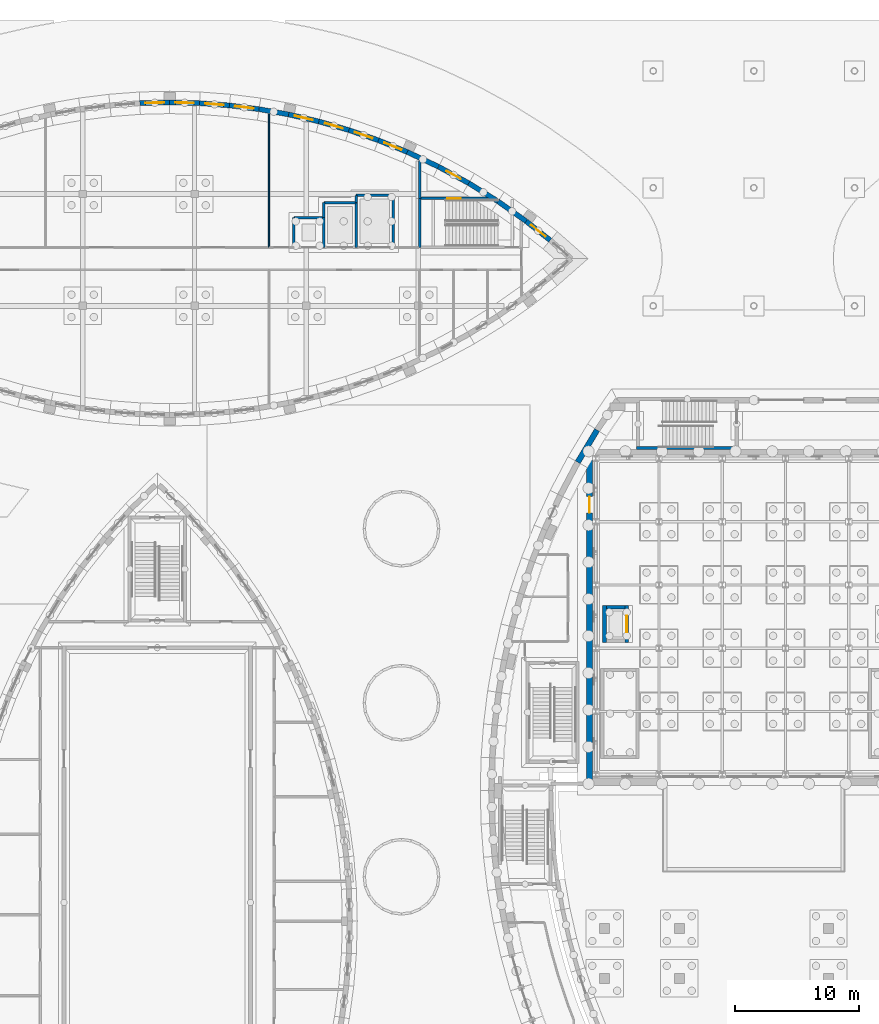
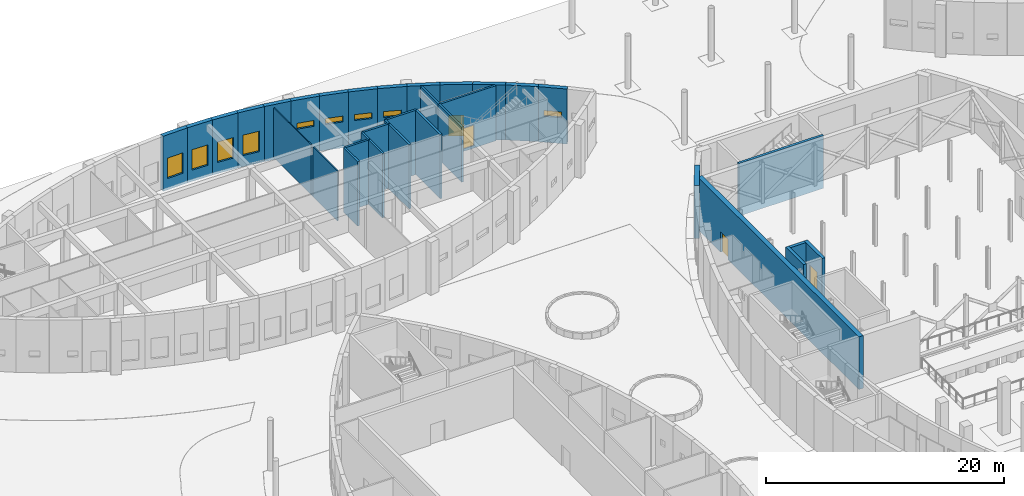
# One storey, part 60 of 82: 35 walls, 9 windows, 4 doors, 13 openings.
"""IFC4 building model written with IfcOpenShell, lengths in metres."""

from ifc_helpers import new_model, si_unit, direction, frame, frame_2d, origin, place, context, subcontext, project, spatial, rectangle, extrude, material, layer, layer_set, type_object, element, fill, save


model = new_model("IFC4")

# Units and contexts
model_context = context("Model", 3, precision=1e-05, world=origin(), true_north=direction((0.0, 1.0)))
body_context = subcontext(model_context, "Body", "Model", "MODEL_VIEW")
ifc_project = project(units=[si_unit("LENGTHUNIT", "METRE"), si_unit("AREAUNIT", "SQUARE_METRE"), si_unit("VOLUMEUNIT", "CUBIC_METRE"), si_unit("PLANEANGLEUNIT", "RADIAN"), si_unit("MASSUNIT", "GRAM", prefix="KILO")], contexts=[model_context])

# Site, building, storey
site_placement = place(None, origin())
site = spatial("IfcSite", under=ifc_project, at=site_placement, CompositionType="ELEMENT")
building_placement = place(site_placement, origin())
building = spatial("IfcBuilding", under=site, at=building_placement, Name="Tide Square Theatres", CompositionType="ELEMENT")
storey_placement = place(building_placement, origin())
storey = spatial("IfcBuildingStorey", under=building, at=storey_placement, Name="L00", CompositionType="ELEMENT", Elevation=0.0)

# Walls
ifc_material_1 = material(Name="Gypsum board on steel studs", Category="steel")
ifc_layer_1 = layer(ifc_material_1, 0.10009765625)
ifc_layer_set_1 = layer_set([ifc_layer_1], Name="Gypsum board on steel studs")
wall_type_1 = type_object("IfcWallType", Name="Partition 100 thick", PredefinedType="PARTITIONING", material=ifc_layer_set_1)
wall_1_placement = place(storey_placement, frame((45.0, 109.4267578125, 0.0), z_axis=(0.0, 0.0, 1.0), x_axis=(0.0, -1.0, 0.0)))
element("IfcWall", 1, at=wall_1_placement, inside=storey, type_object=wall_type_1, Name="Scenery Workshops partition", PredefinedType="PARTITIONING", context=body_context, shape_type="SweptSolid", body=[
    extrude(rectangle(XDim=6.226806640625, YDim=0.10009765625, at=frame_2d((3.11328125, 0.0))), origin(), (0.0, 0.0, 1.0), 5.1201171875),
])
wall_2_placement = place(storey_placement, frame((45.0, 103.199951171875, 0.0), z_axis=(0.0, 0.0, 1.0), x_axis=(0.0, -1.0, 0.0)))
element("IfcWall", 2, at=wall_2_placement, inside=storey, type_object=wall_type_1, Name="Scenery Workshops partition", PredefinedType="PARTITIONING", context=body_context, shape_type="SweptSolid", body=[
    extrude(rectangle(XDim=0.39990234375, YDim=0.10009765625, at=frame_2d((0.199951171875, 0.0))), origin(), (0.0, 0.0, 1.0), 4.320068359375),
])
wall_3_placement = place(storey_placement, frame((45.0, 102.800048828125, 0.0), z_axis=(0.0, 0.0, 1.0), x_axis=(0.0, -1.0, 0.0)))
element("IfcWall", 3, at=wall_3_placement, inside=storey, type_object=wall_type_1, Name="Scenery Workshops partition", PredefinedType="PARTITIONING", context=body_context, shape_type="SweptSolid", body=[
    extrude(rectangle(XDim=4.070068359375, YDim=0.10009765625, at=frame_2d((2.03515625, 0.0))), origin(), (0.0, 0.0, 1.0), 5.1201171875),
])

# Wall, opening, window
ifc_material_2 = material(Name="Concrete C40", Category="concrete")
ifc_layer_2 = layer(ifc_material_2, 0.39990234375)
ifc_layer_set_2 = layer_set([ifc_layer_2], Name="Concrete C40")
wall_type_2 = type_object("IfcWallType", Name="RC curved wall 400 thick", PredefinedType="SOLIDWALL", material=ifc_layer_set_2)
wall_4_placement = place(storey_placement, frame((67.61279296875, 99.27978515625, -0.25), z_axis=(0.0, 0.0, 1.0), x_axis=(-0.784278812541, 0.620408530082, 0.0)))
wall_4 = element("IfcWall", 4, at=wall_4_placement, inside=storey, type_object=wall_type_2, Name="Scenery Workshops perimeter wall 029", PredefinedType="SOLIDWALL", context=body_context, shape_type="SweptSolid", body=[
    extrude(rectangle(XDim=2.464111328125, YDim=0.39990234375, at=frame_2d((1.23193359375, 0.0))), origin(), (0.0, 0.0, 1.0), 5.64990234375),
])
opening_1_placement = place(wall_4_placement, frame((0.48193359375, 0.0, 2.64990234375)))
opening_1 = element("IfcOpeningElement", 5, at=opening_1_placement, cuts=wall_4, Name="Opening WN-05", PredefinedType="OPENING", context=body_context, shape_type="SweptSolid", body=[
    extrude(rectangle(XDim=1.5, YDim=0.60009765625, at=frame_2d((0.75, 0.300048828125))), frame((0.0, 0.2099609375, 0.0), z_axis=(0.0, -1.0, 0.0), x_axis=(1.0, 0.0, 0.0)), (0.0, 0.0, 1.0), 0.419921875),
])
ifc_material_3 = material(Name="Aluminium with laminated glass", Category="aluminium")
window_type_1 = type_object("IfcWindowType", Name="Window 1500 x 600", PartitioningType="SINGLE_PANEL", PredefinedType="WINDOW", material=ifc_material_3)
window_1_placement = place(opening_1_placement, origin())
window_1 = element("IfcWindow", 6, at=window_1_placement, inside=storey, type_object=window_type_1, Name="Scenery Workshops window L00-27", OverallHeight=0.60009765625, OverallWidth=1.5, PartitioningType="SINGLE_PANEL", PredefinedType="WINDOW", context=body_context, shape_type="SweptSolid", body=[
    extrude(rectangle(XDim=1.5, YDim=0.60009765625, at=frame_2d((0.75, 0.300048828125))), frame((0.0, 0.030029296875, 0.0), z_axis=(0.0, -1.0, 0.0), x_axis=(1.0, 0.0, 0.0)), (0.0, 0.0, 1.0), 0.06005859375),
])
fill(opening_1, window_1)

# Walls
for number, where, z_axis, x_axis, name in (
    (7, (65.68017578125, 100.80859375, -0.25), (0.0, 0.0, 1.0), (-0.817070367038, 0.57653795652, 0.0), "Scenery Workshops perimeter wall 030"),
    (8, (63.415283203125, 102.40673828125, -0.25), (0.0, 0.0, 1.0), (-0.84912946359, 0.528184772653, 0.0), "Scenery Workshops perimeter wall 031"),
):
    element("IfcWall", number, at=place(storey_placement, frame(where, z_axis=z_axis, x_axis=x_axis)), inside=storey, type_object=wall_type_2, Name=name, PredefinedType="SOLIDWALL", context=body_context, shape_type="SweptSolid", body=[
        extrude(rectangle(XDim=2.77197265625, YDim=0.39990234375, at=frame_2d((1.385986328125, 0.0))), origin(), (0.0, 0.0, 1.0), 5.64990234375),
    ])

# Wall, opening, door
wall_5_placement = place(storey_placement, frame((61.0615234375, 103.870849609375, -0.25), z_axis=(0.0, 0.0, 1.0), x_axis=(-0.878255502871, 0.478191668347, 0.0)))
wall_5 = element("IfcWall", 9, at=wall_5_placement, inside=storey, type_object=wall_type_2, Name="Scenery Workshops perimeter wall 032", PredefinedType="SOLIDWALL", context=body_context, shape_type="SweptSolid", body=[
    extrude(rectangle(XDim=2.771728515625, YDim=0.39990234375, at=frame_2d((1.3857421875, 0.0))), origin(), (0.0, 0.0, 1.0), 5.64990234375),
])
opening_2_placement = place(wall_5_placement, frame((0.73583984375, 0.0, 0.25)))
opening_2 = element("IfcOpeningElement", 10, at=opening_2_placement, cuts=wall_5, Name="Opening W0-02", PredefinedType="OPENING", context=body_context, shape_type="SweptSolid", body=[
    extrude(rectangle(XDim=1.300048828125, YDim=2.10009765625, at=frame_2d((0.64990234375, 1.050048828125))), frame((0.0, 0.2099609375, 0.0), z_axis=(0.0, -1.0, 0.0), x_axis=(1.0, 0.0, 0.0)), (0.0, 0.0, 1.0), 0.419921875),
])
ifc_material_4 = material(Name="Hardwood timber", Category="wood")
door_type_1 = type_object("IfcDoorType", Name="Door 1300 x 2100 double leaf", OperationType="DOUBLE_DOOR_SINGLE_SWING", PredefinedType="DOOR", material=ifc_material_4)
door_1_placement = place(opening_2_placement, frame((1.300048828125, 0.0, 0.0), z_axis=(0.0, 0.0, 1.0), x_axis=(-1.0, 0.0, 0.0)))
door_1 = element("IfcDoor", 11, at=door_1_placement, inside=storey, type_object=door_type_1, Name="Scenery Workshops stair discharge door W0-02", OperationType="DOUBLE_DOOR_SINGLE_SWING", OverallHeight=2.10009765625, OverallWidth=1.300048828125, PredefinedType="DOOR", context=body_context, shape_type="SweptSolid", body=[
    extrude(rectangle(XDim=1.300048828125, YDim=2.10009765625, at=frame_2d((0.64990234375, 1.050048828125))), frame((0.0, 0.02490234375, 0.0), z_axis=(0.0, -1.0, 0.0), x_axis=(1.0, 0.0, 0.0)), (0.0, 0.0, 1.0), 0.050048828125),
])
fill(opening_2, door_1)

# Wall
wall_6_placement = place(storey_placement, frame((58.627197265625, 105.1962890625, -0.25), z_axis=(0.0, 0.0, 1.0), x_axis=(-0.904561064695, 0.42634408667, 0.0)))
element("IfcWall", 12, at=wall_6_placement, inside=storey, type_object=wall_type_2, Name="Scenery Workshops perimeter wall 033", PredefinedType="SOLIDWALL", context=body_context, shape_type="SweptSolid", body=[
    extrude(rectangle(XDim=2.772216796875, YDim=0.39990234375, at=frame_2d((1.38623046875, 0.0))), origin(), (0.0, 0.0, 1.0), 5.64990234375),
])

# Wall, opening, window
wall_7_placement = place(storey_placement, frame((56.11962890625, 106.378173828125, -0.25), z_axis=(0.0, 0.0, 1.0), x_axis=(-0.926688932252, 0.375829246921, 0.0)))
wall_7 = element("IfcWall", 13, at=wall_7_placement, inside=storey, type_object=wall_type_2, Name="Scenery Workshops perimeter wall 034", PredefinedType="SOLIDWALL", context=body_context, shape_type="SweptSolid", body=[
    extrude(rectangle(XDim=2.5107421875, YDim=0.39990234375, at=frame_2d((1.25537109375, 0.0))), origin(), (0.0, 0.0, 1.0), 5.64990234375),
])
opening_3_placement = place(wall_7_placement, frame((0.50537109375, 0.0, 2.64990234375)))
opening_3 = element("IfcOpeningElement", 14, at=opening_3_placement, cuts=wall_7, Name="Opening WN-05", PredefinedType="OPENING", context=body_context, shape_type="SweptSolid", body=[
    extrude(rectangle(XDim=1.5, YDim=0.60009765625, at=frame_2d((0.75, 0.300048828125))), frame((0.0, 0.2099609375, 0.0), z_axis=(0.0, -1.0, 0.0), x_axis=(1.0, 0.0, 0.0)), (0.0, 0.0, 1.0), 0.419921875),
])
window_2_placement = place(opening_3_placement, origin())
window_2 = element("IfcWindow", 15, at=window_2_placement, inside=storey, type_object=window_type_1, Name="Scenery Workshops window L00-28", OverallHeight=0.60009765625, OverallWidth=1.5, PartitioningType="SINGLE_PANEL", PredefinedType="WINDOW", context=body_context, shape_type="SweptSolid", body=[
    extrude(rectangle(XDim=1.5, YDim=0.60009765625, at=frame_2d((0.75, 0.300048828125))), frame((0.0, 0.030029296875, 0.0), z_axis=(0.0, -1.0, 0.0), x_axis=(1.0, 0.0, 0.0)), (0.0, 0.0, 1.0), 0.06005859375),
])
fill(opening_3, window_2)

wall_8_placement = place(storey_placement, frame((53.79296875, 107.32177734375, -0.25), z_axis=(0.0, 0.0, 1.0), x_axis=(-0.945175475032, 0.326562890417, 0.0)))
wall_8 = element("IfcWall", 16, at=wall_8_placement, inside=storey, type_object=wall_type_2, Name="Scenery Workshops perimeter wall 035", PredefinedType="SOLIDWALL", context=body_context, shape_type="SweptSolid", body=[
    extrude(rectangle(XDim=2.51123046875, YDim=0.39990234375, at=frame_2d((1.255615234375, 0.0))), origin(), (0.0, 0.0, 1.0), 5.64990234375),
])
opening_4_placement = place(wall_8_placement, frame((0.505615234375, 0.0, 2.64990234375)))
opening_4 = element("IfcOpeningElement", 17, at=opening_4_placement, cuts=wall_8, Name="Opening WN-05", PredefinedType="OPENING", context=body_context, shape_type="SweptSolid", body=[
    extrude(rectangle(XDim=1.5, YDim=0.60009765625, at=frame_2d((0.75, 0.300048828125))), frame((0.0, 0.2099609375, 0.0), z_axis=(0.0, -1.0, 0.0), x_axis=(1.0, 0.0, 0.0)), (0.0, 0.0, 1.0), 0.419921875),
])
window_3_placement = place(opening_4_placement, origin())
window_3 = element("IfcWindow", 18, at=window_3_placement, inside=storey, type_object=window_type_1, Name="Scenery Workshops window L00-29", OverallHeight=0.60009765625, OverallWidth=1.5, PartitioningType="SINGLE_PANEL", PredefinedType="WINDOW", context=body_context, shape_type="SweptSolid", body=[
    extrude(rectangle(XDim=1.5, YDim=0.60009765625, at=frame_2d((0.75, 0.300048828125))), frame((0.0, 0.030029296875, 0.0), z_axis=(0.0, -1.0, 0.0), x_axis=(1.0, 0.0, 0.0)), (0.0, 0.0, 1.0), 0.06005859375),
])
fill(opening_4, window_3)

wall_9_placement = place(storey_placement, frame((51.41943359375, 108.141845703125, -0.25), z_axis=(0.0, 0.0, 1.0), x_axis=(-0.961008605775, 0.276518461637, 0.0)))
wall_9 = element("IfcWall", 19, at=wall_9_placement, inside=storey, type_object=wall_type_2, Name="Scenery Workshops perimeter wall 036", PredefinedType="SOLIDWALL", context=body_context, shape_type="SweptSolid", body=[
    extrude(rectangle(XDim=2.510986328125, YDim=0.39990234375, at=frame_2d((1.25537109375, 0.0))), origin(), (0.0, 0.0, 1.0), 5.64990234375),
])
opening_5_placement = place(wall_9_placement, frame((0.505615234375, 0.0, 2.64990234375)))
opening_5 = element("IfcOpeningElement", 20, at=opening_5_placement, cuts=wall_9, Name="Opening WN-05", PredefinedType="OPENING", context=body_context, shape_type="SweptSolid", body=[
    extrude(rectangle(XDim=1.5, YDim=0.60009765625, at=frame_2d((0.75, 0.300048828125))), frame((0.0, 0.2099609375, 0.0), z_axis=(0.0, -1.0, 0.0), x_axis=(1.0, 0.0, 0.0)), (0.0, 0.0, 1.0), 0.419921875),
])
window_4_placement = place(opening_5_placement, origin())
window_4 = element("IfcWindow", 21, at=window_4_placement, inside=storey, type_object=window_type_1, Name="Scenery Workshops window L00-30", OverallHeight=0.60009765625, OverallWidth=1.5, PartitioningType="SINGLE_PANEL", PredefinedType="WINDOW", context=body_context, shape_type="SweptSolid", body=[
    extrude(rectangle(XDim=1.5, YDim=0.60009765625, at=frame_2d((0.75, 0.300048828125))), frame((0.0, 0.030029296875, 0.0), z_axis=(0.0, -1.0, 0.0), x_axis=(1.0, 0.0, 0.0)), (0.0, 0.0, 1.0), 0.06005859375),
])
fill(opening_5, window_4)

wall_10_placement = place(storey_placement, frame((49.00634765625, 108.836181640625, -0.25), z_axis=(0.0, 0.0, 1.0), x_axis=(-0.974189274843, 0.225732710925, 0.0)))
wall_10 = element("IfcWall", 22, at=wall_10_placement, inside=storey, type_object=wall_type_2, Name="Scenery Workshops perimeter wall 037", PredefinedType="SOLIDWALL", context=body_context, shape_type="SweptSolid", body=[
    extrude(rectangle(XDim=2.511474609375, YDim=0.39990234375, at=frame_2d((1.255859375, 0.0))), origin(), (0.0, 0.0, 1.0), 5.64990234375),
])
opening_6_placement = place(wall_10_placement, frame((0.505615234375, 0.0, 2.64990234375)))
opening_6 = element("IfcOpeningElement", 23, at=opening_6_placement, cuts=wall_10, Name="Opening WN-05", PredefinedType="OPENING", context=body_context, shape_type="SweptSolid", body=[
    extrude(rectangle(XDim=1.5, YDim=0.60009765625, at=frame_2d((0.75, 0.300048828125))), frame((0.0, 0.2099609375, 0.0), z_axis=(0.0, -1.0, 0.0), x_axis=(1.0, 0.0, 0.0)), (0.0, 0.0, 1.0), 0.419921875),
])
window_5_placement = place(opening_6_placement, origin())
window_5 = element("IfcWindow", 24, at=window_5_placement, inside=storey, type_object=window_type_1, Name="Scenery Workshops window L00-31", OverallHeight=0.60009765625, OverallWidth=1.5, PartitioningType="SINGLE_PANEL", PredefinedType="WINDOW", context=body_context, shape_type="SweptSolid", body=[
    extrude(rectangle(XDim=1.5, YDim=0.60009765625, at=frame_2d((0.75, 0.300048828125))), frame((0.0, 0.030029296875, 0.0), z_axis=(0.0, -1.0, 0.0), x_axis=(1.0, 0.0, 0.0)), (0.0, 0.0, 1.0), 0.06005859375),
])
fill(opening_6, window_5)

# Wall
wall_11_placement = place(storey_placement, frame((46.559814453125, 109.403076171875, -0.25), z_axis=(0.0, 0.0, 1.0), x_axis=(-0.984524011381, 0.175249738987, 0.0)))
element("IfcWall", 25, at=wall_11_placement, inside=storey, type_object=wall_type_2, Name="Scenery Workshops perimeter wall 038", PredefinedType="SOLIDWALL", context=body_context, shape_type="SweptSolid", body=[
    extrude(rectangle(XDim=2.406005859375, YDim=0.39990234375, at=frame_2d((1.203125, 0.0))), origin(), (0.0, 0.0, 1.0), 5.64990234375),
])

# Wall, opening, window
wall_12_placement = place(storey_placement, frame((44.191162109375, 109.82470703125, -0.25), z_axis=(0.0, 0.0, 1.0), x_axis=(-0.99208939311, 0.125533406227, 0.0)))
wall_12 = element("IfcWall", 26, at=wall_12_placement, inside=storey, type_object=wall_type_2, Name="Scenery Workshops perimeter wall 039", PredefinedType="SOLIDWALL", context=body_context, shape_type="SweptSolid", body=[
    extrude(rectangle(XDim=2.40576171875, YDim=0.39990234375, at=frame_2d((1.202880859375, 0.0))), origin(), (0.0, 0.0, 1.0), 5.64990234375),
])
opening_7_placement = place(wall_12_placement, frame((0.452880859375, 0.0, 1.14990234375)))
opening_7 = element("IfcOpeningElement", 27, at=opening_7_placement, cuts=wall_12, Name="Opening WN-01", PredefinedType="OPENING", context=body_context, shape_type="SweptSolid", body=[
    extrude(rectangle(XDim=1.5, YDim=2.10009765625, at=frame_2d((0.75, 1.050048828125))), frame((0.0, 0.2099609375, 0.0), z_axis=(0.0, -1.0, 0.0), x_axis=(1.0, 0.0, 0.0)), (0.0, 0.0, 1.0), 0.419921875),
])
ifc_material_5 = material(Name="Aluminium with laminated glass", Category="aluminium")
window_type_2 = type_object("IfcWindowType", Name="Window 1500 x 2100", PartitioningType="SINGLE_PANEL", PredefinedType="WINDOW", material=ifc_material_5)
window_6_placement = place(opening_7_placement, origin())
window_6 = element("IfcWindow", 28, at=window_6_placement, inside=storey, type_object=window_type_2, Name="Scenery Workshops window L00-32", OverallHeight=2.10009765625, OverallWidth=1.5, PartitioningType="SINGLE_PANEL", PredefinedType="WINDOW", context=body_context, shape_type="SweptSolid", body=[
    extrude(rectangle(XDim=1.5, YDim=2.10009765625, at=frame_2d((0.75, 1.050048828125))), frame((0.0, 0.030029296875, 0.0), z_axis=(0.0, -1.0, 0.0), x_axis=(1.0, 0.0, 0.0)), (0.0, 0.0, 1.0), 0.06005859375),
])
fill(opening_7, window_6)

wall_13_placement = place(storey_placement, frame((41.804443359375, 110.126708984375, -0.25), z_axis=(0.0, 0.0, 1.0), x_axis=(-0.997153910364, 0.075392831525, 0.0)))
wall_13 = element("IfcWall", 29, at=wall_13_placement, inside=storey, type_object=wall_type_2, Name="Scenery Workshops perimeter wall 040", PredefinedType="SOLIDWALL", context=body_context, shape_type="SweptSolid", body=[
    extrude(rectangle(XDim=2.406005859375, YDim=0.39990234375, at=frame_2d((1.203125, 0.0))), origin(), (0.0, 0.0, 1.0), 5.64990234375),
])
opening_8_placement = place(wall_13_placement, frame((0.452880859375, 0.0, 1.14990234375)))
opening_8 = element("IfcOpeningElement", 30, at=opening_8_placement, cuts=wall_13, Name="Opening WN-01", PredefinedType="OPENING", context=body_context, shape_type="SweptSolid", body=[
    extrude(rectangle(XDim=1.5, YDim=2.10009765625, at=frame_2d((0.75, 1.050048828125))), frame((0.0, 0.2099609375, 0.0), z_axis=(0.0, -1.0, 0.0), x_axis=(1.0, 0.0, 0.0)), (0.0, 0.0, 1.0), 0.419921875),
])
window_7_placement = place(opening_8_placement, origin())
window_7 = element("IfcWindow", 31, at=window_7_placement, inside=storey, type_object=window_type_2, Name="Scenery Workshops window L00-33", OverallHeight=2.10009765625, OverallWidth=1.5, PartitioningType="SINGLE_PANEL", PredefinedType="WINDOW", context=body_context, shape_type="SweptSolid", body=[
    extrude(rectangle(XDim=1.5, YDim=2.10009765625, at=frame_2d((0.75, 1.050048828125))), frame((0.0, 0.030029296875, 0.0), z_axis=(0.0, -1.0, 0.0), x_axis=(1.0, 0.0, 0.0)), (0.0, 0.0, 1.0), 0.06005859375),
])
fill(opening_8, window_7)

wall_14_placement = place(storey_placement, frame((39.4052734375, 110.30810546875, -0.25), z_axis=(0.0, 0.0, 1.0), x_axis=(-0.999683321759, 0.025164582196, 0.0)))
wall_14 = element("IfcWall", 32, at=wall_14_placement, inside=storey, type_object=wall_type_2, Name="Scenery Workshops perimeter wall 041", PredefinedType="SOLIDWALL", context=body_context, shape_type="SweptSolid", body=[
    extrude(rectangle(XDim=2.406005859375, YDim=0.39990234375, at=frame_2d((1.203125, 0.0))), origin(), (0.0, 0.0, 1.0), 5.64990234375),
])
opening_9_placement = place(wall_14_placement, frame((0.452880859375, 0.0, 1.14990234375)))
opening_9 = element("IfcOpeningElement", 33, at=opening_9_placement, cuts=wall_14, Name="Opening WN-01", PredefinedType="OPENING", context=body_context, shape_type="SweptSolid", body=[
    extrude(rectangle(XDim=1.5, YDim=2.10009765625, at=frame_2d((0.75, 1.050048828125))), frame((0.0, 0.2099609375, 0.0), z_axis=(0.0, -1.0, 0.0), x_axis=(1.0, 0.0, 0.0)), (0.0, 0.0, 1.0), 0.419921875),
])
window_8_placement = place(opening_9_placement, origin())
window_8 = element("IfcWindow", 34, at=window_8_placement, inside=storey, type_object=window_type_2, Name="Scenery Workshops window L00-34", OverallHeight=2.10009765625, OverallWidth=1.5, PartitioningType="SINGLE_PANEL", PredefinedType="WINDOW", context=body_context, shape_type="SweptSolid", body=[
    extrude(rectangle(XDim=1.5, YDim=2.10009765625, at=frame_2d((0.75, 1.050048828125))), frame((0.0, 0.030029296875, 0.0), z_axis=(0.0, -1.0, 0.0), x_axis=(1.0, 0.0, 0.0)), (0.0, 0.0, 1.0), 0.06005859375),
])
fill(opening_9, window_8)

wall_15_placement = place(storey_placement, frame((37.0, 110.36865234375, -0.25), z_axis=(0.0, 0.0, 1.0), x_axis=(-0.999683321759, -0.025164582196, 0.0)))
wall_15 = element("IfcWall", 35, at=wall_15_placement, inside=storey, type_object=wall_type_2, Name="Scenery Workshops perimeter wall 042", PredefinedType="SOLIDWALL", context=body_context, shape_type="SweptSolid", body=[
    extrude(rectangle(XDim=2.406005859375, YDim=0.39990234375, at=frame_2d((1.203125, 0.0))), origin(), (0.0, 0.0, 1.0), 5.64990234375),
])
opening_10_placement = place(wall_15_placement, frame((0.452880859375, 0.0, 1.14990234375)))
opening_10 = element("IfcOpeningElement", 36, at=opening_10_placement, cuts=wall_15, Name="Opening WN-01", PredefinedType="OPENING", context=body_context, shape_type="SweptSolid", body=[
    extrude(rectangle(XDim=1.5, YDim=2.10009765625, at=frame_2d((0.75, 1.050048828125))), frame((0.0, 0.2099609375, 0.0), z_axis=(0.0, -1.0, 0.0), x_axis=(1.0, 0.0, 0.0)), (0.0, 0.0, 1.0), 0.419921875),
])
window_9_placement = place(opening_10_placement, origin())
window_9 = element("IfcWindow", 37, at=window_9_placement, inside=storey, type_object=window_type_2, Name="Scenery Workshops window L00-35", OverallHeight=2.10009765625, OverallWidth=1.5, PartitioningType="SINGLE_PANEL", PredefinedType="WINDOW", context=body_context, shape_type="SweptSolid", body=[
    extrude(rectangle(XDim=1.5, YDim=2.10009765625, at=frame_2d((0.75, 1.050048828125))), frame((0.0, 0.030029296875, 0.0), z_axis=(0.0, -1.0, 0.0), x_axis=(1.0, 0.0, 0.0)), (0.0, 0.0, 1.0), 0.06005859375),
])
fill(opening_10, window_9)

# Wall
ifc_material_6 = material(Name="Concrete C40", Category="concrete")
ifc_layer_3 = layer(ifc_material_6, 0.449951171875)
ifc_layer_set_3 = layer_set([ifc_layer_3], Name="Concrete C40")
wall_type_3 = type_object("IfcWallType", Name="RC curved wall 450 thick", PredefinedType="SOLIDWALL", material=ifc_layer_set_3)
wall_16_placement = place(storey_placement, frame((71.388671875, 84.013916015625, 0.0), z_axis=(0.0, 0.0, 1.0), x_axis=(-0.515636119523, -0.856807675177, 0.0)))
element("IfcWall", 38, at=wall_16_placement, inside=storey, type_object=wall_type_3, Name="Main Theatre perimeter wall", PredefinedType="SOLIDWALL", context=body_context, shape_type="SweptSolid", body=[
    extrude(rectangle(XDim=3.021240234375, YDim=0.449951171875, at=frame_2d((1.5107421875, 0.0))), origin(), (0.0, 0.0, 1.0), 5.39990234375),
])

# Wall, opening, door
wall_17_placement = place(storey_placement, frame((70.77490234375, 55.39990234375, 0.0), z_axis=(0.0, 0.0, 1.0), x_axis=(0.0, 1.0, 0.0)))
wall_17 = element("IfcWall", 39, at=wall_17_placement, inside=storey, type_object=wall_type_3, Name="Stage house wall", PredefinedType="SOLIDWALL", context=body_context, shape_type="SweptSolid", body=[
    extrude(rectangle(XDim=27.110107421875, YDim=0.449951171875, at=frame_2d((13.55517578125, 0.0))), origin(), (0.0, 0.0, 1.0), 5.39990234375),
])
opening_11_placement = place(wall_17_placement, frame((21.949951171875, 0.0, 0.0)))
opening_11 = element("IfcOpeningElement", 40, at=opening_11_placement, cuts=wall_17, Name="Opening M00-36", PredefinedType="OPENING", context=body_context, shape_type="SweptSolid", body=[
    extrude(rectangle(XDim=1.300048828125, YDim=2.10009765625, at=frame_2d((0.64990234375, 1.050048828125))), frame((0.0, 0.23486328125, 0.0), z_axis=(0.0, -1.0, 0.0), x_axis=(1.0, 0.0, 0.0)), (0.0, 0.0, 1.0), 0.469970703125),
])
door_2_placement = place(opening_11_placement, origin())
door_2 = element("IfcDoor", 41, at=door_2_placement, inside=storey, type_object=door_type_1, Name="Stage house side door", OperationType="DOUBLE_DOOR_SINGLE_SWING", OverallHeight=2.10009765625, OverallWidth=1.300048828125, PredefinedType="DOOR", context=body_context, shape_type="SweptSolid", body=[
    extrude(rectangle(XDim=1.300048828125, YDim=2.10009765625, at=frame_2d((0.64990234375, 1.050048828125))), frame((0.0, 0.02490234375, 0.0), z_axis=(0.0, -1.0, 0.0), x_axis=(1.0, 0.0, 0.0)), (0.0, 0.0, 1.0), 0.050048828125),
])
fill(opening_11, door_2)

# Walls
ifc_material_7 = material(Name="Concrete C40", Category="concrete")
ifc_layer_4 = layer(ifc_material_7, 0.199951171875)
ifc_layer_set_4 = layer_set([ifc_layer_4], Name="Concrete C40")
wall_type_4 = type_object("IfcWallType", Name="RC shear wall 200 thick", PredefinedType="SHEAR", material=ifc_layer_set_4)
for number, where, z_axis, x_axis, name in (
    (42, (49.39990234375, 101.10009765625, -1.199951171875), (0.0, 0.0, 1.0), (0.0, -1.0, 0.0), "Scenery Workshops lift shaft wall"),
    (43, (47.0, 98.699951171875, -1.199951171875), (0.0, 0.0, 1.0), (0.0, 1.0, 0.0), "Scenery Workshops lift shaft wall"),
):
    element("IfcWall", number, at=place(storey_placement, frame(where, z_axis=z_axis, x_axis=x_axis)), inside=storey, type_object=wall_type_4, Name=name, PredefinedType="SHEAR", context=body_context, shape_type="SweptSolid", body=[
        extrude(rectangle(XDim=2.400146484375, YDim=0.199951171875, at=frame_2d((1.2001953125, 0.0))), origin(), (0.0, 0.0, 1.0), 6.599853515625),
    ])
wall_18_placement = place(storey_placement, frame((47.0, 101.10009765625, -1.199951171875), z_axis=(0.0, 0.0, 1.0), x_axis=(1.0, 0.0, 0.0)))
element("IfcWall", 44, at=wall_18_placement, inside=storey, type_object=wall_type_4, Name="Scenery Workshops lift shaft wall", PredefinedType="SHEAR", context=body_context, shape_type="SweptSolid", body=[
    extrude(rectangle(XDim=2.39990234375, YDim=0.199951171875, at=frame_2d((1.199951171875, 0.0))), origin(), (0.0, 0.0, 1.0), 6.599853515625),
])
wall_19_placement = place(storey_placement, frame((49.39990234375, 101.10009765625, -1.199951171875), z_axis=(0.0, 0.0, 1.0), x_axis=(0.0, 1.0, 0.0)))
element("IfcWall", 45, at=wall_19_placement, inside=storey, type_object=wall_type_4, Name="Scenery Workshops lift shaft wall", PredefinedType="SHEAR", context=body_context, shape_type="SweptSolid", body=[
    extrude(rectangle(XDim=1.199951171875, YDim=0.199951171875, at=frame_2d((0.60009765625, 0.0))), origin(), (0.0, 0.0, 1.0), 6.599853515625),
])
wall_20_placement = place(storey_placement, frame((49.39990234375, 102.300048828125, -1.199951171875), z_axis=(0.0, 0.0, 1.0), x_axis=(1.0, 0.0, 0.0)))
element("IfcWall", 46, at=wall_20_placement, inside=storey, type_object=wall_type_4, Name="Scenery Workshops lift shaft wall", PredefinedType="SHEAR", context=body_context, shape_type="SweptSolid", body=[
    extrude(rectangle(XDim=2.60009765625, YDim=0.199951171875, at=frame_2d((1.300048828125, 0.0))), origin(), (0.0, 0.0, 1.0), 6.599853515625),
])
wall_21_placement = place(storey_placement, frame((52.0, 102.300048828125, -1.199951171875), z_axis=(0.0, 0.0, 1.0), x_axis=(0.0, 1.0, 0.0)))
element("IfcWall", 47, at=wall_21_placement, inside=storey, type_object=wall_type_4, Name="Scenery Workshops lift shaft wall", PredefinedType="SHEAR", context=body_context, shape_type="SweptSolid", body=[
    extrude(rectangle(XDim=0.599853515625, YDim=0.199951171875, at=frame_2d((0.2998046875, 0.0))), origin(), (0.0, 0.0, 1.0), 6.599853515625),
])
wall_22_placement = place(storey_placement, frame((52.0, 102.89990234375, -1.199951171875), z_axis=(0.0, 0.0, 1.0), x_axis=(1.0, 0.0, 0.0)))
element("IfcWall", 48, at=wall_22_placement, inside=storey, type_object=wall_type_4, Name="Scenery Workshops lift shaft wall", PredefinedType="SHEAR", context=body_context, shape_type="SweptSolid", body=[
    extrude(rectangle(XDim=3.0, YDim=0.199951171875, at=frame_2d((1.5, 0.0))), origin(), (0.0, 0.0, 1.0), 6.599853515625),
])
wall_23_placement = place(storey_placement, frame((55.0, 102.89990234375, -1.199951171875), z_axis=(0.0, 0.0, 1.0), x_axis=(0.0, -1.0, 0.0)))
element("IfcWall", 49, at=wall_23_placement, inside=storey, type_object=wall_type_4, Name="Scenery Workshops lift shaft wall", PredefinedType="SHEAR", context=body_context, shape_type="SweptSolid", body=[
    extrude(rectangle(XDim=4.199951171875, YDim=0.199951171875, at=frame_2d((2.10009765625, 0.0))), origin(), (0.0, 0.0, 1.0), 6.599853515625),
])
wall_24_placement = place(storey_placement, frame((52.0, 102.300048828125, -1.199951171875), z_axis=(0.0, 0.0, 1.0), x_axis=(0.0, -1.0, 0.0)))
element("IfcWall", 50, at=wall_24_placement, inside=storey, type_object=wall_type_4, Name="Scenery Workshops lift shaft wall", PredefinedType="SHEAR", context=body_context, shape_type="SweptSolid", body=[
    extrude(rectangle(XDim=3.60009765625, YDim=0.199951171875, at=frame_2d((1.800048828125, 0.0))), origin(), (0.0, 0.0, 1.0), 6.599853515625),
])

# Wall, opening, door
wall_25_placement = place(storey_placement, frame((57.10009765625, 102.64990234375, -0.25), z_axis=(0.0, 0.0, 1.0), x_axis=(1.0, 0.0, 0.0)))
wall_25 = element("IfcWall", 51, at=wall_25_placement, inside=storey, type_object=wall_type_4, Name="Scenery Workshops stair enclosure wall", PredefinedType="SHEAR", context=body_context, shape_type="SweptSolid", body=[
    extrude(rectangle(XDim=5.450927734375, YDim=0.199951171875, at=frame_2d((2.7255859375, 0.0))), origin(), (0.0, 0.0, 1.0), 5.64990234375),
])
opening_12_placement = place(wall_25_placement, frame((2.222900390625, 0.0, 0.25)))
opening_12 = element("IfcOpeningElement", 52, at=opening_12_placement, cuts=wall_25, Name="Opening W0-23", PredefinedType="OPENING", context=body_context, shape_type="SweptSolid", body=[
    extrude(rectangle(XDim=1.10009765625, YDim=2.10009765625, at=frame_2d((0.550048828125, 1.050048828125))), frame((0.0, 0.10986328125, 0.0), z_axis=(0.0, -1.0, 0.0), x_axis=(1.0, 0.0, 0.0)), (0.0, 0.0, 1.0), 0.219970703125),
])
ifc_material_8 = material(Name="Painted steel", Category="steel")
door_type_2 = type_object("IfcDoorType", Name="Door 1100 x 2100 single leaf", OperationType="NOTDEFINED", PredefinedType="DOOR", material=ifc_material_8)
door_3_placement = place(opening_12_placement, frame((1.10009765625, 0.0, 0.0), z_axis=(0.0, 0.0, 1.0), x_axis=(-1.0, 0.0, 0.0)))
door_3 = element("IfcDoor", 53, at=door_3_placement, inside=storey, type_object=door_type_2, Name="Scenery Workshops door W0-23 stair door to Stair Discharge Lobby 2", OperationType="SINGLE_SWING_LEFT", OverallHeight=2.10009765625, OverallWidth=1.10009765625, PredefinedType="DOOR", context=body_context, shape_type="SweptSolid", body=[
    extrude(rectangle(XDim=1.10009765625, YDim=2.10009765625, at=frame_2d((0.550048828125, 1.050048828125))), frame((0.0, 0.02490234375, 0.0), z_axis=(0.0, -1.0, 0.0), x_axis=(1.0, 0.0, 0.0)), (0.0, 0.0, 1.0), 0.050048828125),
])
fill(opening_12, door_3)

# Walls
wall_26_placement = place(storey_placement, frame((57.10009765625, 102.64990234375, -0.25), z_axis=(0.0, 0.0, 1.0), x_axis=(0.0, 1.0, 0.0)))
element("IfcWall", 54, at=wall_26_placement, inside=storey, type_object=wall_type_4, Name="Scenery Workshops stair enclosure wall", PredefinedType="SHEAR", context=body_context, shape_type="SweptSolid", body=[
    extrude(rectangle(XDim=2.98974609375, YDim=0.199951171875, at=frame_2d((1.494873046875, 0.0))), origin(), (0.0, 0.0, 1.0), 5.64990234375),
])
wall_27_placement = place(storey_placement, frame((57.10009765625, 98.699951171875, -0.25), z_axis=(0.0, 0.0, 1.0), x_axis=(0.0, 1.0, 0.0)))
element("IfcWall", 55, at=wall_27_placement, inside=storey, type_object=wall_type_4, Name="Scenery Workshops stair enclosure wall", PredefinedType="SHEAR", context=body_context, shape_type="SweptSolid", body=[
    extrude(rectangle(XDim=3.949951171875, YDim=0.199951171875, at=frame_2d((1.97509765625, 0.0))), origin(), (0.0, 0.0, 1.0), 5.64990234375),
])
ifc_material_9 = material(Name="Concrete C40", Category="concrete")
ifc_layer_5 = layer(ifc_material_9, 0.25)
ifc_layer_set_5 = layer_set([ifc_layer_5], Name="Concrete C40")
wall_type_5 = type_object("IfcWallType", Name="RC shear wall 250 thick", PredefinedType="SHEAR", material=ifc_layer_set_5)
wall_28_placement = place(storey_placement, frame((74.550048828125, 82.56494140625, 0.0), z_axis=(0.0, 0.0, 1.0), x_axis=(1.0, 0.0, 0.0)))
element("IfcWall", 56, at=wall_28_placement, inside=storey, type_object=wall_type_5, Name="Main Theatre North Stair shaft wall", PredefinedType="SHEAR", context=body_context, shape_type="SweptSolid", body=[
    extrude(rectangle(XDim=8.199951171875, YDim=0.25, at=frame_2d((4.10009765625, 0.0))), origin(), (0.0, 0.0, 1.0), 5.39990234375),
])
ifc_material_10 = material(Name="Concrete C40", Category="concrete")
ifc_layer_6 = layer(ifc_material_10, 0.300048828125)
ifc_layer_set_6 = layer_set([ifc_layer_6], Name="Concrete C40")
wall_type_6 = type_object("IfcWallType", Name="RC shear wall 300 thick", PredefinedType="SHEAR", material=ifc_layer_set_6)
wall_29_placement = place(storey_placement, frame((73.6259765625, 69.75, -0.199951171875), z_axis=(0.0, 0.0, 1.0), x_axis=(-1.0, 0.0, 0.0)))
element("IfcWall", 57, at=wall_29_placement, inside=storey, type_object=wall_type_6, Name="Fly Tower lift 11 shaft wall", PredefinedType="SHEAR", context=body_context, shape_type="SweptSolid", body=[
    extrude(rectangle(XDim=1.5, YDim=0.300048828125, at=frame_2d((0.75, 0.0))), origin(), (0.0, 0.0, 1.0), 5.599853515625),
])
wall_30_placement = place(storey_placement, frame((71.97607421875, 66.89990234375, -0.199951171875), z_axis=(0.0, 0.0, 1.0), x_axis=(0.0, 1.0, 0.0)))
element("IfcWall", 58, at=wall_30_placement, inside=storey, type_object=wall_type_6, Name="Fly Tower lift 11 shaft wall", PredefinedType="SHEAR", context=body_context, shape_type="SweptSolid", body=[
    extrude(rectangle(XDim=3.0, YDim=0.300048828125, at=frame_2d((1.5, 0.0))), origin(), (0.0, 0.0, 1.0), 5.599853515625),
])

# Wall, opening, door
wall_31_placement = place(storey_placement, frame((73.77587890625, 66.89990234375, -0.199951171875), z_axis=(0.0, 0.0, 1.0), x_axis=(0.0, 1.0, 0.0)))
wall_31 = element("IfcWall", 59, at=wall_31_placement, inside=storey, type_object=wall_type_6, Name="Fly Tower lift 11 shaft wall", PredefinedType="SHEAR", context=body_context, shape_type="SweptSolid", body=[
    extrude(rectangle(XDim=3.0, YDim=0.300048828125, at=frame_2d((1.5, 0.0))), origin(), (0.0, 0.0, 1.0), 5.599853515625),
])
opening_13_placement = place(wall_31_placement, frame((0.85009765625, 0.0, 1.39990234375)))
opening_13 = element("IfcOpeningElement", 60, at=opening_13_placement, cuts=wall_31, Name="Opening LD-T11-0", PredefinedType="OPENING", context=body_context, shape_type="SweptSolid", body=[
    extrude(rectangle(XDim=1.300048828125, YDim=2.300048828125, at=frame_2d((0.64990234375, 1.14990234375))), frame((0.0, 0.159912109375, 0.0), z_axis=(0.0, -1.0, 0.0), x_axis=(1.0, 0.0, 0.0)), (0.0, 0.0, 1.0), 0.320068359375),
])
ifc_material_11 = material(Name="Painted steel", Category="steel")
door_type_3 = type_object("IfcDoorType", Name="Door 1300 x 2300 sliding", OperationType="SLIDING_TO_LEFT", PredefinedType="DOOR", material=ifc_material_11)
door_4_placement = place(opening_13_placement, origin())
door_4 = element("IfcDoor", 61, at=door_4_placement, inside=storey, type_object=door_type_3, Name="Fly Tower Stretcher lift 1000 kg landing door L00", OperationType="SLIDING_TO_LEFT", OverallHeight=2.300048828125, OverallWidth=1.300048828125, PredefinedType="DOOR", context=body_context, shape_type="SweptSolid", body=[
    extrude(rectangle(XDim=1.300048828125, YDim=2.300048828125, at=frame_2d((0.64990234375, 1.14990234375))), frame((0.0, 0.02490234375, 0.0), z_axis=(0.0, -1.0, 0.0), x_axis=(1.0, 0.0, 0.0)), (0.0, 0.0, 1.0), 0.050048828125),
])
fill(opening_13, door_4)

save(model, "model.ifc")
